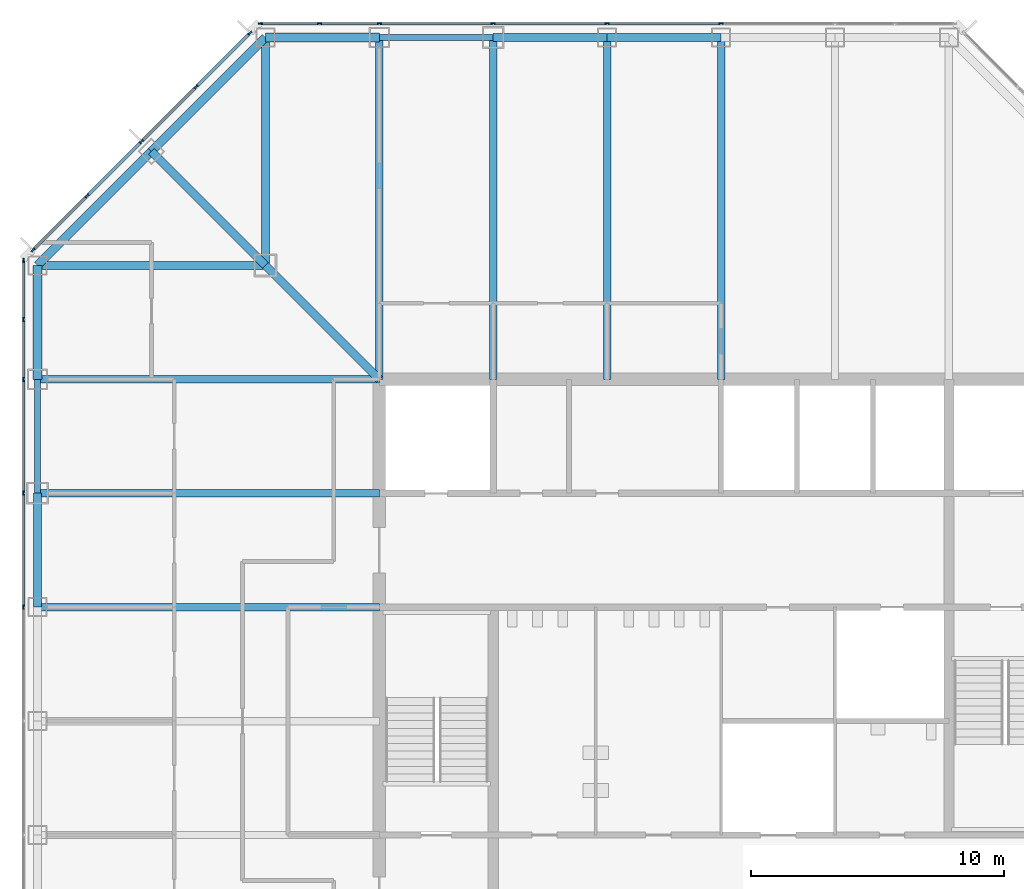
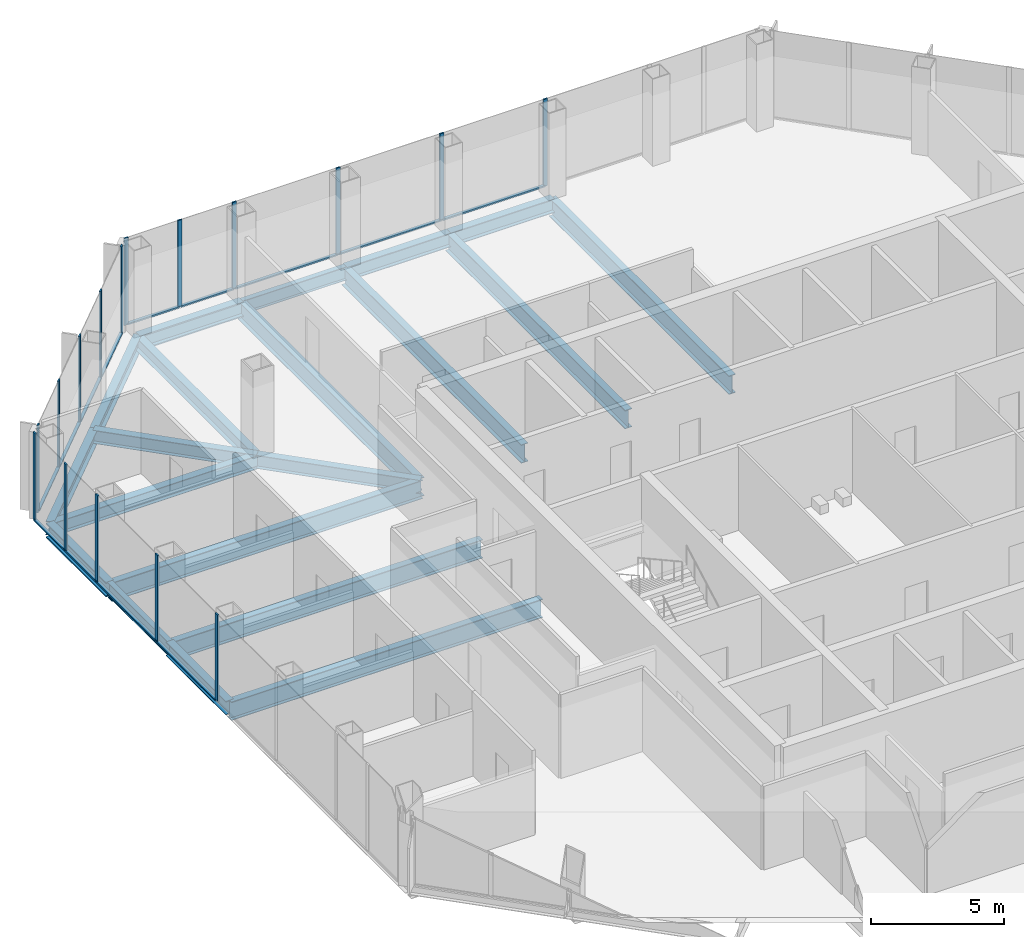
# One storey, part 5 of 13: 29 members, 20 beams, 3 elements without a shape of their own.
"""IFC4 building model written with IfcOpenShell, lengths in metres."""

from ifc_helpers import new_model, si_unit, direction, frame, origin, origin_2d, place, context, subcontext, project, spatial, rectangle, i_section, extrude, material, material_profile, profile_set, type_object, element, aggregate, save


model = new_model("IFC4")

# Units and contexts
model_context = context("Model", 3, precision=1e-05, world=origin(), true_north=direction((0.0, 1.0)))
body_context = subcontext(model_context, "Body", "Model", "MODEL_VIEW")
ifc_project = project(units=[si_unit("LENGTHUNIT", "METRE"), si_unit("AREAUNIT", "SQUARE_METRE"), si_unit("VOLUMEUNIT", "CUBIC_METRE"), si_unit("PLANEANGLEUNIT", "RADIAN"), si_unit("MASSUNIT", "GRAM", prefix="KILO")], contexts=[model_context])

# Site, building, storey
site_placement = place(None, origin())
site = spatial("IfcSite", under=ifc_project, at=site_placement, CompositionType="ELEMENT")
building_placement = place(site_placement, origin())
building = spatial("IfcBuilding", under=site, at=building_placement, Name="Corais Broadcast Tower", CompositionType="ELEMENT")
storey_placement = place(building_placement, frame((0.0, 0.0, 151.60009765625)))
storey = spatial("IfcBuildingStorey", under=building, at=storey_placement, Name="L34", CompositionType="ELEMENT", Elevation=151.60009765625)

# Beams
ifc_material_1 = material(Name="Steel ASTM A572 Grade 50", Category="steel")
ifc_material_profile_1 = material_profile(ifc_material_1, i_section(OverallWidth=0.323974609375, OverallDepth=0.611083984375, WebThickness=0.0126953125, FlangeThickness=0.01904296875, at=origin_2d()), Name="W610x155")
ifc_profile_set_1 = profile_set([ifc_material_profile_1], Name="Steel ASTM A572 Grade 50")
beam_type_1 = type_object("IfcBeamType", Name="Chamfer tie W610x155", PredefinedType="BEAM", material=ifc_profile_set_1)
beam_1_placement = place(storey_placement, frame((4.5, 49.5, -0.465576171875), z_axis=(0.707106781187, -0.707106781187, 0.0), x_axis=(0.707106781187, 0.707106781187, 0.0)))
element("IfcBeam", 1, at=beam_1_placement, inside=storey, type_object=beam_type_1, Name="B5 M/4 to L/5", PredefinedType="BEAM", context=body_context, shape_type="SweptSolid", body=[
    extrude(i_section(OverallWidth=0.323974609375, OverallDepth=0.611083984375, WebThickness=0.0126953125, FlangeThickness=0.01904296875, at=origin_2d()), origin(), (0.0, 0.0, 1.0), 6.364013671875),
])
ifc_material_2 = material(Name="Steel ASTM A572 Grade 50", Category="steel")
ifc_material_profile_2 = material_profile(ifc_material_2, i_section(OverallWidth=0.323974609375, OverallDepth=0.611083984375, WebThickness=0.0126953125, FlangeThickness=0.01904296875, at=origin_2d()), Name="W610x155")
ifc_profile_set_2 = profile_set([ifc_material_profile_2], Name="Steel ASTM A572 Grade 50")
beam_type_2 = type_object("IfcBeamType", Name="Corner diagonal W610x155", PredefinedType="BEAM", material=ifc_profile_set_2)
beam_2_placement = place(storey_placement, frame((9.0, 45.0, -0.465576171875), z_axis=(0.707106781187, -0.707106781187, 0.0), x_axis=(0.707106781187, 0.707106781187, 0.0)))
element("IfcBeam", 2, at=beam_2_placement, inside=storey, type_object=beam_type_2, Name="B6 L/5 to K/6", PredefinedType="BEAM", context=body_context, shape_type="SweptSolid", body=[
    extrude(i_section(OverallWidth=0.323974609375, OverallDepth=0.611083984375, WebThickness=0.0126953125, FlangeThickness=0.01904296875, at=origin_2d()), origin(), (0.0, 0.0, 1.0), 6.364013671875),
])
ifc_material_3 = material(Name="Steel ASTM A572 Grade 50", Category="steel")
ifc_material_profile_3 = material_profile(ifc_material_3, i_section(OverallWidth=0.323974609375, OverallDepth=0.611083984375, WebThickness=0.0126953125, FlangeThickness=0.01904296875, at=origin_2d()), Name="W610x155")
ifc_profile_set_3 = profile_set([ifc_material_profile_3], Name="Steel ASTM A572 Grade 50")
beam_type_3 = type_object("IfcBeamType", Name="Corner girder W610x155", PredefinedType="BEAM", material=ifc_profile_set_3)
for number, where, z_axis, x_axis, name in (
    (3, (0.0, 45.0, -0.465576171875), (1.0, 0.0, 0.0), (0.0, 1.0, 0.0), "B4 L/3 to L/5"),
    (4, (9.0, 54.0, -0.465576171875), (0.0, -1.0, 0.0), (1.0, 0.0, 0.0), "B4 N/5 to L/5"),
):
    element("IfcBeam", number, at=place(storey_placement, frame(where, z_axis=z_axis, x_axis=x_axis)), inside=storey, type_object=beam_type_3, Name=name, PredefinedType="BEAM", context=body_context, shape_type="SweptSolid", body=[
        extrude(i_section(OverallWidth=0.323974609375, OverallDepth=0.611083984375, WebThickness=0.0126953125, FlangeThickness=0.01904296875, at=origin_2d()), origin(), (0.0, 0.0, 1.0), 9.0),
    ])
ifc_material_4 = material(Name="Steel ASTM A572 Grade 50", Category="steel")
ifc_material_profile_4 = material_profile(ifc_material_4, i_section(OverallWidth=0.337890625, OverallDepth=0.677978515625, WebThickness=0.029541015625, FlangeThickness=0.052978515625, at=origin_2d()), Name="W610x415")
ifc_profile_set_4 = profile_set([ifc_material_profile_4], Name="Steel ASTM A572 Grade 50")
beam_type_4 = type_object("IfcBeamType", Name="Corner spandrel W610x415", PredefinedType="BEAM", material=ifc_profile_set_4)
for number, where, z_axis, x_axis, name in (
    (5, (0.0, 45.0, -0.4990234375), (0.0, -1.0, 0.0), (1.0, 0.0, 0.0), "SB10 L/3 to K/3"),
    (6, (13.5, 54.0, -0.4990234375), (-1.0, 0.0, 0.0), (0.0, -1.0, 0.0), "SB10 N/6 to N/5"),
):
    element("IfcBeam", number, at=place(storey_placement, frame(where, z_axis=z_axis, x_axis=x_axis)), inside=storey, type_object=beam_type_4, Name=name, PredefinedType="BEAM", context=body_context, shape_type="SweptSolid", body=[
        extrude(i_section(OverallWidth=0.337890625, OverallDepth=0.677978515625, WebThickness=0.029541015625, FlangeThickness=0.052978515625, at=origin_2d()), origin(), (0.0, 0.0, 1.0), 4.5),
    ])
ifc_material_5 = material(Name="Steel ASTM A572 Grade 50", Category="steel")
ifc_material_profile_5 = material_profile(ifc_material_5, i_section(OverallWidth=0.2939453125, OverallDepth=0.85107421875, WebThickness=0.01611328125, FlangeThickness=0.02685546875, at=origin_2d()), Name="W840x226")
ifc_profile_set_5 = profile_set([ifc_material_profile_5], Name="Steel ASTM A572 Grade 50")
beam_type_5 = type_object("IfcBeamType", Name="Floor beam W840x226", PredefinedType="BEAM", material=ifc_profile_set_5)
for number, where, z_axis, x_axis, name in (
    (7, (0.0, 31.5, -0.585693359375), (1.0, 0.0, 0.0), (0.0, 1.0, 0.0), "B1 H/3 to H/6"),
    (8, (0.0, 36.0, -0.585693359375), (1.0, 0.0, 0.0), (0.0, 1.0, 0.0), "B1 J/3 to J/6"),
    (9, (0.0, 40.5, -0.585693359375), (1.0, 0.0, 0.0), (0.0, 1.0, 0.0), "B1 K/3 to K/6"),
    (10, (13.5, 54.0, -0.585693359375), (0.0, -1.0, 0.0), (1.0, 0.0, 0.0), "B1 N/6 to K/6"),
    (11, (18.0, 54.0, -0.585693359375), (0.0, -1.0, 0.0), (1.0, 0.0, 0.0), "B1 N/7 to K/7"),
    (12, (22.5, 54.0, -0.585693359375), (0.0, -1.0, 0.0), (1.0, 0.0, 0.0), "B1 N/8 to K/8"),
    (13, (27.0, 54.0, -0.585693359375), (0.0, -1.0, 0.0), (1.0, 0.0, 0.0), "B1 N/9 to K/9"),
):
    element("IfcBeam", number, at=place(storey_placement, frame(where, z_axis=z_axis, x_axis=x_axis)), inside=storey, type_object=beam_type_5, Name=name, PredefinedType="BEAM", context=body_context, shape_type="SweptSolid", body=[
        extrude(i_section(OverallWidth=0.2939453125, OverallDepth=0.85107421875, WebThickness=0.01611328125, FlangeThickness=0.02685546875, at=origin_2d()), origin(), (0.0, 0.0, 1.0), 13.5),
    ])

# Curtain wall, members
ifc_material_6 = material(Name="Aluminium and glass", Category="aluminium")
curtain_wall_type = type_object("IfcCurtainWallType", Name="Unitised fritted curtain wall CW2", PredefinedType="NOTDEFINED", material=ifc_material_6)
curtain_wall_1_placement = place(storey_placement, origin())
curtain_wall_1 = element("IfcCurtainWall", 14, at=curtain_wall_1_placement, inside=storey, type_object=curtain_wall_type, Name="CW2 curtain wall L34 2", PredefinedType="NOTDEFINED")
ifc_material_7 = material(Name="Aluminium 6063-T6", Category="aluminium")
ifc_material_profile_6 = material_profile(ifc_material_7, rectangle(XDim=0.06494140625, YDim=0.179931640625, at=origin_2d()), Name="Mullion CW2 65x180")
ifc_profile_set_6 = profile_set([ifc_material_profile_6], Name="Aluminium 6063-T6")
member_type_1 = type_object("IfcMemberType", Name="Mullion CW2 65x180", PredefinedType="MULLION", material=ifc_profile_set_6)
member_1_placement = place(storey_placement, frame((-0.550048828125, 31.5, 0.0), z_axis=(0.0, 0.0, 1.0), x_axis=(-1.0, 0.0, 0.0)))
member_1 = element("IfcMember", 15, at=member_1_placement, type_object=member_type_1, Name="CW2 mullion 5", PredefinedType="MULLION", context=body_context, shape_type="SweptSolid", body=[
    extrude(rectangle(XDim=0.06494140625, YDim=0.179931640625, at=origin_2d()), origin(), (0.0, 0.0, 1.0), 4.0),
])
member_2_placement = place(storey_placement, frame((-0.550048828125, 36.0, 0.0), z_axis=(0.0, 0.0, 1.0), x_axis=(-1.0, 0.0, 0.0)))
member_2 = element("IfcMember", 16, at=member_2_placement, type_object=member_type_1, Name="CW2 mullion 6", PredefinedType="MULLION", context=body_context, shape_type="SweptSolid", body=[
    extrude(rectangle(XDim=0.06494140625, YDim=0.179931640625, at=origin_2d()), origin(), (0.0, 0.0, 1.0), 4.0),
])
member_3_placement = place(storey_placement, frame((-0.550048828125, 40.5, 0.0), z_axis=(0.0, 0.0, 1.0), x_axis=(-1.0, 0.0, 0.0)))
member_3 = element("IfcMember", 17, at=member_3_placement, type_object=member_type_1, Name="CW2 mullion 7", PredefinedType="MULLION", context=body_context, shape_type="SweptSolid", body=[
    extrude(rectangle(XDim=0.06494140625, YDim=0.179931640625, at=origin_2d()), origin(), (0.0, 0.0, 1.0), 4.0),
])
member_4_placement = place(storey_placement, frame((-0.550048828125, 42.864013671875, 0.0), z_axis=(0.0, 0.0, 1.0), x_axis=(-1.0, 0.0, 0.0)))
member_4 = element("IfcMember", 18, at=member_4_placement, type_object=member_type_1, Name="CW2 mullion 8", PredefinedType="MULLION", context=body_context, shape_type="SweptSolid", body=[
    extrude(rectangle(XDim=0.06494140625, YDim=0.179931640625, at=origin_2d()), origin(), (0.0, 0.0, 1.0), 4.0),
])
member_5_placement = place(storey_placement, frame((-0.550048828125, 45.1953125, 0.0), z_axis=(0.0, 0.0, 1.0), x_axis=(-1.0, 0.0, 0.0)))
member_5 = element("IfcMember", 19, at=member_5_placement, type_object=member_type_1, Name="CW2 mullion 9", PredefinedType="MULLION", context=body_context, shape_type="SweptSolid", body=[
    extrude(rectangle(XDim=0.06494140625, YDim=0.179931640625, at=origin_2d()), origin(), (0.0, 0.0, 1.0), 4.0),
])

curtain_wall_2_placement = place(storey_placement, origin())
curtain_wall_2 = element("IfcCurtainWall", 20, at=curtain_wall_2_placement, inside=storey, type_object=curtain_wall_type, Name="CW2 curtain wall L34 3", PredefinedType="NOTDEFINED")
member_6_placement = place(storey_placement, frame((-0.17333984375, 45.6044921875, 0.0), z_axis=(0.0, 0.0, 1.0), x_axis=(-0.707106781187, 0.707106781187, 0.0)))
member_6 = element("IfcMember", 21, at=member_6_placement, type_object=member_type_1, Name="CW2 mullion 1", PredefinedType="MULLION", context=body_context, shape_type="SweptSolid", body=[
    extrude(rectangle(XDim=0.06494140625, YDim=0.179931640625, at=origin_2d()), origin(), (0.0, 0.0, 1.0), 4.0),
])
member_7_placement = place(storey_placement, frame((1.957275390625, 47.735107421875, 0.0), z_axis=(0.0, 0.0, 1.0), x_axis=(-0.707106781187, 0.707106781187, 0.0)))
member_7 = element("IfcMember", 22, at=member_7_placement, type_object=member_type_1, Name="CW2 mullion 2", PredefinedType="MULLION", context=body_context, shape_type="SweptSolid", body=[
    extrude(rectangle(XDim=0.06494140625, YDim=0.179931640625, at=origin_2d()), origin(), (0.0, 0.0, 1.0), 4.0),
])
member_8_placement = place(storey_placement, frame((4.111083984375, 49.888916015625, 0.0), z_axis=(0.0, 0.0, 1.0), x_axis=(-0.707106781187, 0.707106781187, 0.0)))
member_8 = element("IfcMember", 23, at=member_8_placement, type_object=member_type_1, Name="CW2 mullion 3", PredefinedType="MULLION", context=body_context, shape_type="SweptSolid", body=[
    extrude(rectangle(XDim=0.06494140625, YDim=0.179931640625, at=origin_2d()), origin(), (0.0, 0.0, 1.0), 4.0),
])
member_9_placement = place(storey_placement, frame((6.264892578125, 52.042724609375, 0.0), z_axis=(0.0, 0.0, 1.0), x_axis=(-0.707106781187, 0.707106781187, 0.0)))
member_9 = element("IfcMember", 24, at=member_9_placement, type_object=member_type_1, Name="CW2 mullion 4", PredefinedType="MULLION", context=body_context, shape_type="SweptSolid", body=[
    extrude(rectangle(XDim=0.06494140625, YDim=0.179931640625, at=origin_2d()), origin(), (0.0, 0.0, 1.0), 4.0),
])
member_10_placement = place(storey_placement, frame((8.3955078125, 54.17333984375, 0.0), z_axis=(0.0, 0.0, 1.0), x_axis=(-0.707106781187, 0.707106781187, 0.0)))
member_10 = element("IfcMember", 25, at=member_10_placement, type_object=member_type_1, Name="CW2 mullion 5", PredefinedType="MULLION", context=body_context, shape_type="SweptSolid", body=[
    extrude(rectangle(XDim=0.06494140625, YDim=0.179931640625, at=origin_2d()), origin(), (0.0, 0.0, 1.0), 4.0),
])

curtain_wall_3_placement = place(storey_placement, origin())
curtain_wall_3 = element("IfcCurtainWall", 26, at=curtain_wall_3_placement, inside=storey, type_object=curtain_wall_type, Name="CW2 curtain wall L34 4", PredefinedType="NOTDEFINED")
member_11_placement = place(storey_placement, frame((8.8046875, 54.550048828125, 0.0), z_axis=(0.0, 0.0, 1.0), x_axis=(0.0, 1.0, 0.0)))
member_11 = element("IfcMember", 27, at=member_11_placement, type_object=member_type_1, Name="CW2 mullion 1", PredefinedType="MULLION", context=body_context, shape_type="SweptSolid", body=[
    extrude(rectangle(XDim=0.06494140625, YDim=0.179931640625, at=origin_2d()), origin(), (0.0, 0.0, 1.0), 4.0),
])
member_12_placement = place(storey_placement, frame((11.135986328125, 54.550048828125, 0.0), z_axis=(0.0, 0.0, 1.0), x_axis=(0.0, 1.0, 0.0)))
member_12 = element("IfcMember", 28, at=member_12_placement, type_object=member_type_1, Name="CW2 mullion 2", PredefinedType="MULLION", context=body_context, shape_type="SweptSolid", body=[
    extrude(rectangle(XDim=0.06494140625, YDim=0.179931640625, at=origin_2d()), origin(), (0.0, 0.0, 1.0), 4.0),
])
member_13_placement = place(storey_placement, frame((13.5, 54.550048828125, 0.0), z_axis=(0.0, 0.0, 1.0), x_axis=(0.0, 1.0, 0.0)))
member_13 = element("IfcMember", 29, at=member_13_placement, type_object=member_type_1, Name="CW2 mullion 3", PredefinedType="MULLION", context=body_context, shape_type="SweptSolid", body=[
    extrude(rectangle(XDim=0.06494140625, YDim=0.179931640625, at=origin_2d()), origin(), (0.0, 0.0, 1.0), 4.0),
])
member_14_placement = place(storey_placement, frame((18.0, 54.550048828125, 0.0), z_axis=(0.0, 0.0, 1.0), x_axis=(0.0, 1.0, 0.0)))
member_14 = element("IfcMember", 30, at=member_14_placement, type_object=member_type_1, Name="CW2 mullion 4", PredefinedType="MULLION", context=body_context, shape_type="SweptSolid", body=[
    extrude(rectangle(XDim=0.06494140625, YDim=0.179931640625, at=origin_2d()), origin(), (0.0, 0.0, 1.0), 4.0),
])
member_15_placement = place(storey_placement, frame((22.5, 54.550048828125, 0.0), z_axis=(0.0, 0.0, 1.0), x_axis=(0.0, 1.0, 0.0)))
member_15 = element("IfcMember", 31, at=member_15_placement, type_object=member_type_1, Name="CW2 mullion 5", PredefinedType="MULLION", context=body_context, shape_type="SweptSolid", body=[
    extrude(rectangle(XDim=0.06494140625, YDim=0.179931640625, at=origin_2d()), origin(), (0.0, 0.0, 1.0), 4.0),
])
member_16_placement = place(storey_placement, frame((27.0, 54.550048828125, 0.0), z_axis=(0.0, 0.0, 1.0), x_axis=(0.0, 1.0, 0.0)))
member_16 = element("IfcMember", 32, at=member_16_placement, type_object=member_type_1, Name="CW2 mullion 6", PredefinedType="MULLION", context=body_context, shape_type="SweptSolid", body=[
    extrude(rectangle(XDim=0.06494140625, YDim=0.179931640625, at=origin_2d()), origin(), (0.0, 0.0, 1.0), 4.0),
])

# Beams
ifc_material_8 = material(Name="Steel ASTM A572 Grade 50", Category="steel")
ifc_material_profile_7 = material_profile(ifc_material_8, i_section(OverallWidth=0.22900390625, OverallDepth=0.612060546875, WebThickness=0.011962890625, FlangeThickness=0.01953125, at=origin_2d()), Name="W610x125")
ifc_profile_set_7 = profile_set([ifc_material_profile_7], Name="Steel ASTM A572 Grade 50")
beam_type_6 = type_object("IfcBeamType", Name="Pinned spandrel W610x125", PredefinedType="BEAM", material=ifc_profile_set_7)
for number, where, z_axis, x_axis, name in (
    (33, (0.0, 40.5, -0.466064453125), (0.0, -1.0, 0.0), (1.0, 0.0, 0.0), "SB7 K/3 to J/3"),
    (34, (18.0, 54.0, -0.466064453125), (-1.0, 0.0, 0.0), (0.0, -1.0, 0.0), "SB7 N/7 to N/6"),
):
    element("IfcBeam", number, at=place(storey_placement, frame(where, z_axis=z_axis, x_axis=x_axis)), inside=storey, type_object=beam_type_6, Name=name, PredefinedType="BEAM", context=body_context, shape_type="SweptSolid", body=[
        extrude(i_section(OverallWidth=0.22900390625, OverallDepth=0.612060546875, WebThickness=0.011962890625, FlangeThickness=0.01953125, at=origin_2d()), origin(), (0.0, 0.0, 1.0), 4.5),
    ])
ifc_material_9 = material(Name="Steel ASTM A572 Grade 50", Category="steel")
ifc_material_profile_8 = material_profile(ifc_material_9, i_section(OverallWidth=0.3291015625, OverallDepth=0.635009765625, WebThickness=0.017822265625, FlangeThickness=0.031005859375, at=origin_2d()), Name="W610x241")
ifc_profile_set_8 = profile_set([ifc_material_profile_8], Name="Steel ASTM A572 Grade 50")
beam_type_7 = type_object("IfcBeamType", Name="Spandrel W610x241", PredefinedType="BEAM", material=ifc_profile_set_8)
for number, where, z_axis, x_axis, name in (
    (35, (0.0, 36.0, -0.4775390625), (0.0, -1.0, 0.0), (1.0, 0.0, 0.0), "SB1 J/3 to H/3"),
    (36, (22.5, 54.0, -0.4775390625), (-1.0, 0.0, 0.0), (0.0, -1.0, 0.0), "SB1 N/8 to N/7"),
    (37, (27.0, 54.0, -0.4775390625), (-1.0, 0.0, 0.0), (0.0, -1.0, 0.0), "SB1 N/9 to N/8"),
):
    element("IfcBeam", number, at=place(storey_placement, frame(where, z_axis=z_axis, x_axis=x_axis)), inside=storey, type_object=beam_type_7, Name=name, PredefinedType="BEAM", context=body_context, shape_type="SweptSolid", body=[
        extrude(i_section(OverallWidth=0.3291015625, OverallDepth=0.635009765625, WebThickness=0.017822265625, FlangeThickness=0.031005859375, at=origin_2d()), origin(), (0.0, 0.0, 1.0), 4.5),
    ])
for number, where, z_axis, x_axis, name in (
    (38, (4.5, 49.5, -0.4775390625), (-0.707106781187, -0.707106781187, 0.0), (0.707106781187, -0.707106781187, 0.0), "SB1 M/4 to L/3"),
    (39, (9.0, 54.0, -0.4775390625), (-0.707106781187, -0.707106781187, 0.0), (0.707106781187, -0.707106781187, 0.0), "SB1 N/5 to M/4"),
):
    element("IfcBeam", number, at=place(storey_placement, frame(where, z_axis=z_axis, x_axis=x_axis)), inside=storey, type_object=beam_type_7, Name=name, PredefinedType="BEAM", context=body_context, shape_type="SweptSolid", body=[
        extrude(i_section(OverallWidth=0.3291015625, OverallDepth=0.635009765625, WebThickness=0.017822265625, FlangeThickness=0.031005859375, at=origin_2d()), origin(), (0.0, 0.0, 1.0), 6.364013671875),
    ])

# Member
ifc_material_10 = material(Name="Aluminium 6063-T6", Category="aluminium")
ifc_material_profile_9 = material_profile(ifc_material_10, rectangle(XDim=0.1298828125, YDim=0.06494140625, at=origin_2d()), Name="Transom CW2 65x130")
ifc_profile_set_9 = profile_set([ifc_material_profile_9], Name="Aluminium 6063-T6")
member_type_2 = type_object("IfcMemberType", Name="Transom CW2 65x130", PredefinedType="USERDEFINED", material=ifc_profile_set_9)
member_17_placement = place(storey_placement, frame((-0.550048828125, 31.532470703125, 0.032470703125), z_axis=(0.0, 1.0, 0.0), x_axis=(-1.0, 0.0, 0.0)))
member_17 = element("IfcMember", 40, at=member_17_placement, type_object=member_type_2, Name="CW2 transom 5.1", ObjectType="TRANSOM", PredefinedType="USERDEFINED", context=body_context, shape_type="SweptSolid", body=[
    extrude(rectangle(XDim=0.1298828125, YDim=0.06494140625, at=origin_2d()), origin(), (0.0, 0.0, 1.0), 4.43505859375),
])

member_18_placement = place(storey_placement, frame((-0.550048828125, 36.032470703125, 0.032470703125), z_axis=(0.0, 1.0, 0.0), x_axis=(-1.0, 0.0, 0.0)))
member_18 = element("IfcMember", 41, at=member_18_placement, type_object=member_type_2, Name="CW2 transom 6.1", ObjectType="TRANSOM", PredefinedType="USERDEFINED", context=body_context, shape_type="SweptSolid", body=[
    extrude(rectangle(XDim=0.1298828125, YDim=0.06494140625, at=origin_2d()), origin(), (0.0, 0.0, 1.0), 4.43505859375),
])

member_19_placement = place(storey_placement, frame((-0.550048828125, 40.532470703125, 0.032470703125), z_axis=(0.0, 1.0, 0.0), x_axis=(-1.0, 0.0, 0.0)))
member_19 = element("IfcMember", 42, at=member_19_placement, type_object=member_type_2, Name="CW2 transom 7.1", ObjectType="TRANSOM", PredefinedType="USERDEFINED", context=body_context, shape_type="SweptSolid", body=[
    extrude(rectangle(XDim=0.1298828125, YDim=0.06494140625, at=origin_2d()), origin(), (0.0, 0.0, 1.0), 2.298828125),
])

member_20_placement = place(storey_placement, frame((-0.550048828125, 42.896484375, 0.032470703125), z_axis=(0.0, 1.0, 0.0), x_axis=(-1.0, 0.0, 0.0)))
member_20 = element("IfcMember", 43, at=member_20_placement, type_object=member_type_2, Name="CW2 transom 8.1", ObjectType="TRANSOM", PredefinedType="USERDEFINED", context=body_context, shape_type="SweptSolid", body=[
    extrude(rectangle(XDim=0.1298828125, YDim=0.06494140625, at=origin_2d()), origin(), (0.0, 0.0, 1.0), 2.266357421875),
])

aggregate(curtain_wall_1, [member_1, member_2, member_3, member_4, member_5, member_17, member_18, member_19, member_20])

member_21_placement = place(storey_placement, frame((-0.150390625, 45.62744140625, 0.032470703125), z_axis=(0.707106781187, 0.707106781187, 0.0), x_axis=(-0.707106781187, 0.707106781187, 0.0)))
member_21 = element("IfcMember", 44, at=member_21_placement, type_object=member_type_2, Name="CW2 transom 1.1", ObjectType="TRANSOM", PredefinedType="USERDEFINED", context=body_context, shape_type="SweptSolid", body=[
    extrude(rectangle(XDim=0.1298828125, YDim=0.06494140625, at=origin_2d()), origin(), (0.0, 0.0, 1.0), 2.9482421875),
])

member_22_placement = place(storey_placement, frame((1.980224609375, 47.758056640625, 0.032470703125), z_axis=(0.707106781187, 0.707106781187, 0.0), x_axis=(-0.707106781187, 0.707106781187, 0.0)))
member_22 = element("IfcMember", 45, at=member_22_placement, type_object=member_type_2, Name="CW2 transom 2.1", ObjectType="TRANSOM", PredefinedType="USERDEFINED", context=body_context, shape_type="SweptSolid", body=[
    extrude(rectangle(XDim=0.1298828125, YDim=0.06494140625, at=origin_2d()), origin(), (0.0, 0.0, 1.0), 2.98095703125),
])

member_23_placement = place(storey_placement, frame((4.134033203125, 49.911865234375, 0.032470703125), z_axis=(0.707106781187, 0.707106781187, 0.0), x_axis=(-0.707106781187, 0.707106781187, 0.0)))
member_23 = element("IfcMember", 46, at=member_23_placement, type_object=member_type_2, Name="CW2 transom 3.1", ObjectType="TRANSOM", PredefinedType="USERDEFINED", context=body_context, shape_type="SweptSolid", body=[
    extrude(rectangle(XDim=0.1298828125, YDim=0.06494140625, at=origin_2d()), origin(), (0.0, 0.0, 1.0), 2.98095703125),
])

member_24_placement = place(storey_placement, frame((6.287841796875, 52.065673828125, 0.032470703125), z_axis=(0.707106781187, 0.707106781187, 0.0), x_axis=(-0.707106781187, 0.707106781187, 0.0)))
member_24 = element("IfcMember", 47, at=member_24_placement, type_object=member_type_2, Name="CW2 transom 4.1", ObjectType="TRANSOM", PredefinedType="USERDEFINED", context=body_context, shape_type="SweptSolid", body=[
    extrude(rectangle(XDim=0.1298828125, YDim=0.06494140625, at=origin_2d()), origin(), (0.0, 0.0, 1.0), 2.9482421875),
])

aggregate(curtain_wall_2, [member_6, member_7, member_8, member_9, member_10, member_21, member_22, member_23, member_24])

member_25_placement = place(storey_placement, frame((8.837158203125, 54.550048828125, 0.032470703125), z_axis=(1.0, 0.0, 0.0), x_axis=(0.0, 1.0, 0.0)))
member_25 = element("IfcMember", 48, at=member_25_placement, type_object=member_type_2, Name="CW2 transom 1.1", ObjectType="TRANSOM", PredefinedType="USERDEFINED", context=body_context, shape_type="SweptSolid", body=[
    extrude(rectangle(XDim=0.1298828125, YDim=0.06494140625, at=origin_2d()), origin(), (0.0, 0.0, 1.0), 2.266357421875),
])

member_26_placement = place(storey_placement, frame((11.168701171875, 54.550048828125, 0.032470703125), z_axis=(1.0, 0.0, 0.0), x_axis=(0.0, 1.0, 0.0)))
member_26 = element("IfcMember", 49, at=member_26_placement, type_object=member_type_2, Name="CW2 transom 2.1", ObjectType="TRANSOM", PredefinedType="USERDEFINED", context=body_context, shape_type="SweptSolid", body=[
    extrude(rectangle(XDim=0.1298828125, YDim=0.06494140625, at=origin_2d()), origin(), (0.0, 0.0, 1.0), 2.298828125),
])

member_27_placement = place(storey_placement, frame((13.532470703125, 54.550048828125, 0.032470703125), z_axis=(1.0, 0.0, 0.0), x_axis=(0.0, 1.0, 0.0)))
member_27 = element("IfcMember", 50, at=member_27_placement, type_object=member_type_2, Name="CW2 transom 3.1", ObjectType="TRANSOM", PredefinedType="USERDEFINED", context=body_context, shape_type="SweptSolid", body=[
    extrude(rectangle(XDim=0.1298828125, YDim=0.06494140625, at=origin_2d()), origin(), (0.0, 0.0, 1.0), 4.43505859375),
])

member_28_placement = place(storey_placement, frame((18.032470703125, 54.550048828125, 0.032470703125), z_axis=(1.0, 0.0, 0.0), x_axis=(0.0, 1.0, 0.0)))
member_28 = element("IfcMember", 51, at=member_28_placement, type_object=member_type_2, Name="CW2 transom 4.1", ObjectType="TRANSOM", PredefinedType="USERDEFINED", context=body_context, shape_type="SweptSolid", body=[
    extrude(rectangle(XDim=0.1298828125, YDim=0.06494140625, at=origin_2d()), origin(), (0.0, 0.0, 1.0), 4.43505859375),
])

member_29_placement = place(storey_placement, frame((22.532470703125, 54.550048828125, 0.032470703125), z_axis=(1.0, 0.0, 0.0), x_axis=(0.0, 1.0, 0.0)))
member_29 = element("IfcMember", 52, at=member_29_placement, type_object=member_type_2, Name="CW2 transom 5.1", ObjectType="TRANSOM", PredefinedType="USERDEFINED", context=body_context, shape_type="SweptSolid", body=[
    extrude(rectangle(XDim=0.1298828125, YDim=0.06494140625, at=origin_2d()), origin(), (0.0, 0.0, 1.0), 4.43505859375),
])

aggregate(curtain_wall_3, [member_11, member_12, member_13, member_14, member_15, member_16, member_25, member_26, member_27, member_28, member_29])

save(model, "model.ifc")
